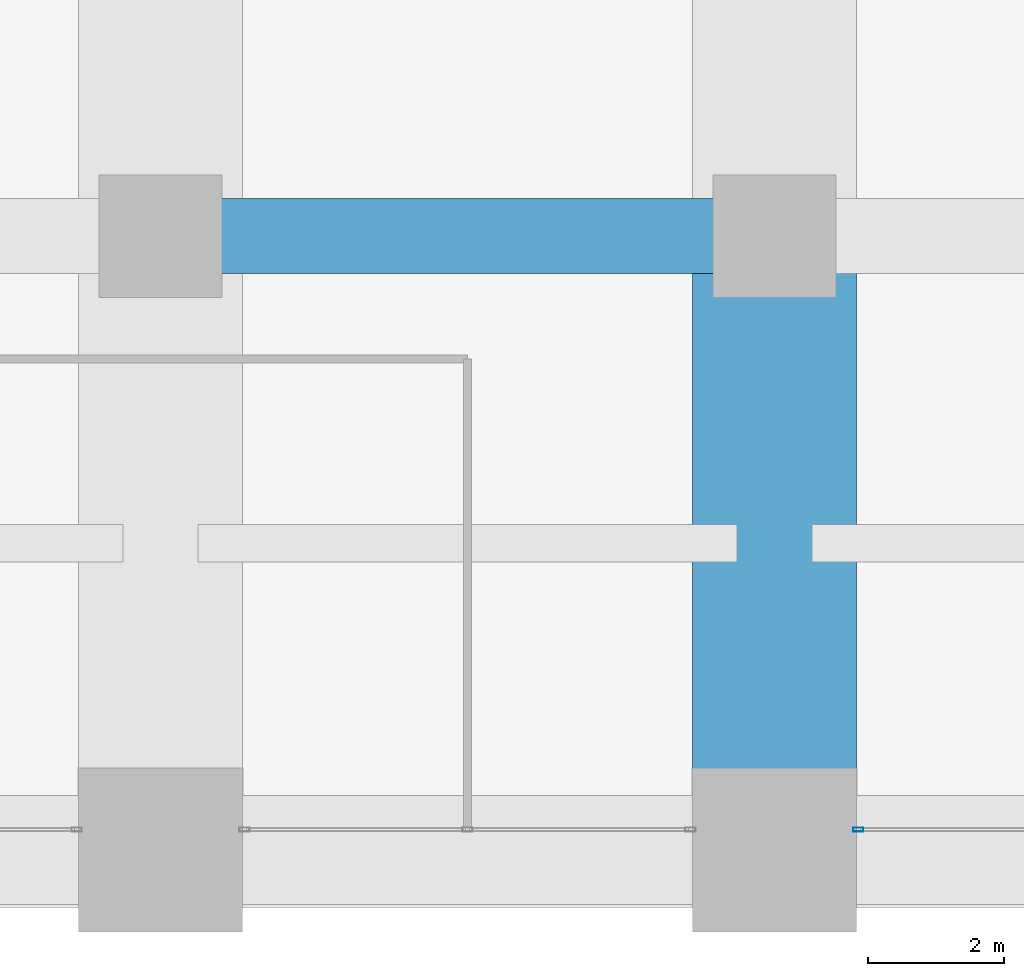
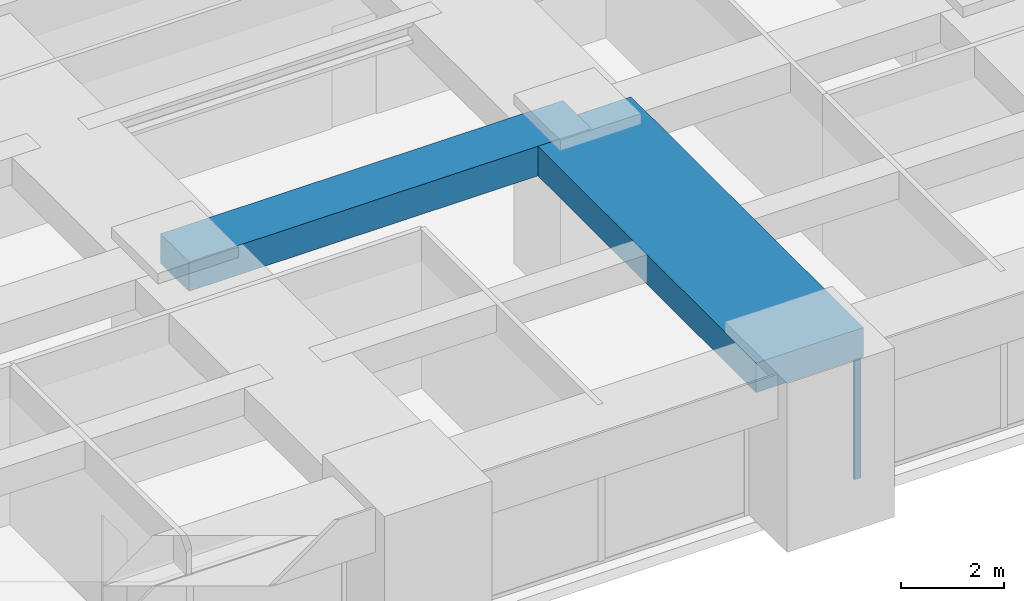
# One storey, part 7 of 42: 2 beams, 1 member, 1 element without a shape of its own.
"""IFC4 building model written with IfcOpenShell, lengths in metres."""

from ifc_helpers import new_model, si_unit, direction, frame, origin, origin_2d, place, context, subcontext, project, spatial, rectangle, hollow_rectangle, extrude, material, material_profile, profile_set, type_object, element, aggregate, save


model = new_model("IFC4")

# Units and contexts
model_context = context("Model", 3, precision=1e-05, world=origin(), true_north=direction((0.0, 1.0)))
body_context = subcontext(model_context, "Body", "Model", "MODEL_VIEW")
ifc_project = project(units=[si_unit("LENGTHUNIT", "METRE"), si_unit("AREAUNIT", "SQUARE_METRE"), si_unit("VOLUMEUNIT", "CUBIC_METRE"), si_unit("PLANEANGLEUNIT", "RADIAN"), si_unit("MASSUNIT", "GRAM", prefix="KILO")], contexts=[model_context])

# Site, building, storey
site_placement = place(None, origin())
site = spatial("IfcSite", under=ifc_project, at=site_placement, CompositionType="ELEMENT")
building_placement = place(site_placement, origin())
building = spatial("IfcBuilding", under=site, at=building_placement, Name="Zorevar Civic Tower", CompositionType="ELEMENT")
storey_placement = place(building_placement, frame((0.0, 0.0, 149.0)))
storey = spatial("IfcBuildingStorey", under=building, at=storey_placement, Name="L36", CompositionType="ELEMENT", Elevation=149.0)

# Beams
ifc_material_1 = material(Name="Concrete C50/60", Category="concrete")
ifc_material_profile_1 = material_profile(ifc_material_1, rectangle(XDim=1.10009765625, YDim=0.699951171875, at=origin_2d()), Name="RC 1100x700")
ifc_profile_set_1 = profile_set([ifc_material_profile_1], Name="Concrete C50/60")
beam_type_1 = type_object("IfcBeamType", Name="Beam RC 1100x700", PredefinedType="BEAM", material=ifc_profile_set_1)
beam_1_placement = place(storey_placement, frame((18.0, 9.0, 3.39990234375), z_axis=(1.0, 0.0, 0.0), x_axis=(0.0, 1.0, 0.0)))
element("IfcBeam", 1, at=beam_1_placement, inside=storey, type_object=beam_type_1, Name="Girder L37", PredefinedType="BEAM", context=body_context, shape_type="SweptSolid", body=[
    extrude(rectangle(XDim=1.10009765625, YDim=0.699951171875, at=origin_2d()), origin(), (0.0, 0.0, 1.0), 9.0),
])
ifc_material_2 = material(Name="Concrete C50/60", Category="concrete")
ifc_material_profile_2 = material_profile(ifc_material_2, rectangle(XDim=2.39990234375, YDim=0.699951171875, at=origin_2d()), Name="RC 2400x700")
ifc_profile_set_2 = profile_set([ifc_material_profile_2], Name="Concrete C50/60")
beam_type_2 = type_object("IfcBeamType", Name="Beam RC 2400x700", PredefinedType="BEAM", material=ifc_profile_set_2)
beam_2_placement = place(storey_placement, frame((27.0, 0.0, 3.39990234375), z_axis=(0.0, 1.0, 0.0), x_axis=(-1.0, 0.0, 0.0)))
element("IfcBeam", 2, at=beam_2_placement, inside=storey, type_object=beam_type_2, Name="Girder L37", PredefinedType="BEAM", context=body_context, shape_type="SweptSolid", body=[
    extrude(rectangle(XDim=2.39990234375, YDim=0.699951171875, at=origin_2d()), origin(), (0.0, 0.0, 1.0), 9.0),
])

# Curtain wall, member
ifc_material_3 = material(Name="Dark grey solar-control glass in black aluminium frame", Category="aluminium")
curtain_wall_type = type_object("IfcCurtainWallType", Name="Curtain wall CW3 mid zone", PredefinedType="NOTDEFINED", material=ifc_material_3)
curtain_wall_placement = place(storey_placement, origin())
curtain_wall = element("IfcCurtainWall", 3, at=curtain_wall_placement, inside=storey, type_object=curtain_wall_type, Name="CW3 L36", PredefinedType="NOTDEFINED")
ifc_material_4 = material(Name="Aluminium, black anodised", Category="aluminium")
ifc_material_profile_3 = material_profile(ifc_material_4, hollow_rectangle(XDim=0.06005859375, YDim=0.14990234375, WallThickness=0.00390625, at=origin_2d()), Name="AL 150x60x4")
ifc_profile_set_3 = profile_set([ifc_material_profile_3], Name="Aluminium, black anodised")
member_type = type_object("IfcMemberType", Name="CW3 mullion AL 150x60x4", PredefinedType="MULLION", material=ifc_profile_set_3)
member_placement = place(storey_placement, frame((28.22998046875, 0.300048828125, 0.0), z_axis=(0.0, 0.0, 1.0), x_axis=(0.0, 1.0, 0.0)))
member = element("IfcMember", 4, at=member_placement, type_object=member_type, Name="CW3 mullion 1", PredefinedType="MULLION", context=body_context, shape_type="SweptSolid", body=[
    extrude(hollow_rectangle(XDim=0.06005859375, YDim=0.14990234375, WallThickness=0.00390625, at=origin_2d()), origin(), (0.0, 0.0, 1.0), 2.949951171875),
])
aggregate(curtain_wall, [member])

save(model, "model.ifc")
